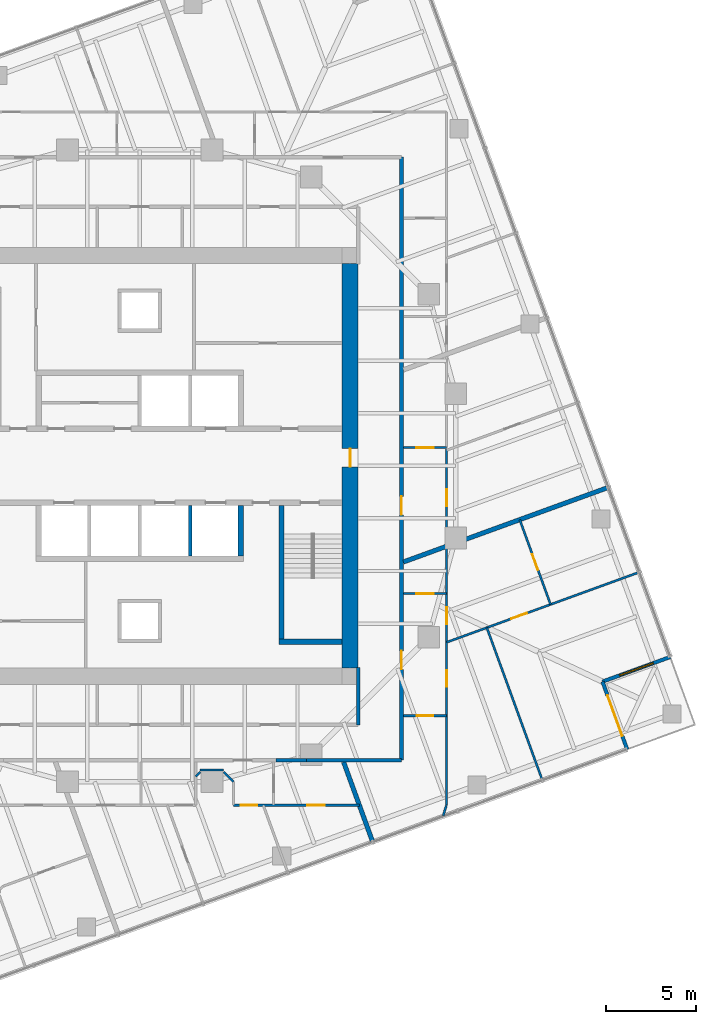
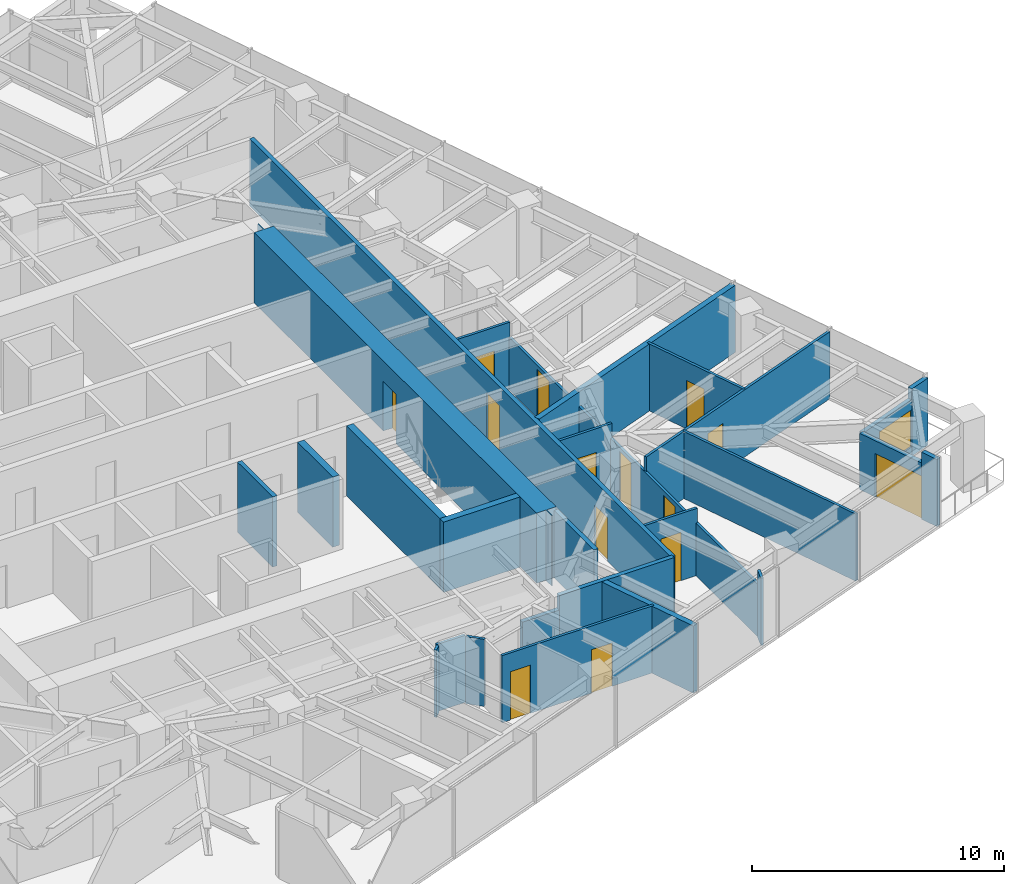
# One storey, part 9 of 13: 27 walls, 14 doors, 1 window, 15 openings.
"""IFC4 building model written with IfcOpenShell, lengths in metres."""

from ifc_helpers import new_model, si_unit, direction, frame, frame_2d, origin, place, context, subcontext, project, spatial, polyline, rectangle, outline, extrude, material, layer, layer_set, type_object, element, fill, save


model = new_model("IFC4")

# Units and contexts
model_context = context("Model", 3, precision=1e-05, world=origin(), true_north=direction((0.0, 1.0)))
body_context = subcontext(model_context, "Body", "Model", "MODEL_VIEW")
ifc_project = project(units=[si_unit("LENGTHUNIT", "METRE"), si_unit("AREAUNIT", "SQUARE_METRE"), si_unit("VOLUMEUNIT", "CUBIC_METRE"), si_unit("PLANEANGLEUNIT", "RADIAN"), si_unit("MASSUNIT", "GRAM", prefix="KILO")], contexts=[model_context])

# Site, building, storey
site_placement = place(None, origin())
site = spatial("IfcSite", under=ifc_project, at=site_placement, CompositionType="ELEMENT")
building_placement = place(site_placement, origin())
building = spatial("IfcBuilding", under=site, at=building_placement, Name="Torsade Residences", CompositionType="ELEMENT")
storey_placement = place(building_placement, frame((0.0, 0.0, 157.39990234375)))
storey = spatial("IfcBuildingStorey", under=building, at=storey_placement, Name="L43", CompositionType="ELEMENT", Elevation=157.39990234375)

# Walls
ifc_material_1 = material(Name="Concrete 80 MPa", Category="concrete")
ifc_layer_1 = layer(ifc_material_1, 0.300048828125)
ifc_layer_set_1 = layer_set([ifc_layer_1], Name="Concrete 80 MPa")
wall_type_1 = type_object("IfcWallType", Name="CORE INTERNAL WALL 300", PredefinedType="SHEAR", material=ifc_layer_set_1)
wall_1_placement = place(storey_placement, frame((45.60009765625, 27.800048828125, 0.0), z_axis=(0.0, 0.0, 1.0), x_axis=(0.0, -1.0, 0.0)))
element("IfcWall", 1, at=wall_1_placement, inside=storey, type_object=wall_type_1, Name="Core wall DS0 L43", PredefinedType="SHEAR", context=body_context, shape_type="SweptSolid", body=[
    extrude(rectangle(XDim=2.800048828125, YDim=0.300048828125, at=frame_2d((1.39990234375, 0.0))), origin(), (0.0, 0.0, 1.0), 3.400146484375),
])
wall_2_placement = place(storey_placement, frame((47.85009765625, 27.800048828125, 0.0), z_axis=(0.0, 0.0, 1.0), x_axis=(0.0, -1.0, 0.0)))
element("IfcWall", 2, at=wall_2_placement, inside=storey, type_object=wall_type_1, Name="Core wall ST2W L43", PredefinedType="SHEAR", context=body_context, shape_type="SweptSolid", body=[
    extrude(rectangle(XDim=7.699951171875, YDim=0.300048828125, at=frame_2d((3.85009765625, 0.0))), origin(), (0.0, 0.0, 1.0), 3.400146484375),
])
wall_3_placement = place(storey_placement, frame((51.199951171875, 20.25, 0.0), z_axis=(0.0, 0.0, 1.0), x_axis=(-1.0, 0.0, 0.0)))
element("IfcWall", 3, at=wall_3_placement, inside=storey, type_object=wall_type_1, Name="Core wall ST2S L43", PredefinedType="SHEAR", context=body_context, shape_type="SweptSolid", body=[
    extrude(rectangle(XDim=3.5, YDim=0.300048828125, at=frame_2d((1.75, 0.0))), origin(), (0.0, 0.0, 1.0), 3.400146484375),
])

# Wall, opening, door
ifc_material_2 = material(Name="Concrete 80 MPa", Category="concrete")
ifc_layer_2 = layer(ifc_material_2, 0.89990234375)
ifc_layer_set_2 = layer_set([ifc_layer_2], Name="Concrete 80 MPa")
wall_type_2 = type_object("IfcWallType", Name="CORE WALL 900", PredefinedType="SHEAR", material=ifc_layer_set_2)
wall_4_placement = place(storey_placement, frame((51.64990234375, 18.800048828125, 0.0), z_axis=(0.0, 0.0, 1.0), x_axis=(0.0, 1.0, 0.0)))
wall_4 = element("IfcWall", 4, at=wall_4_placement, inside=storey, type_object=wall_type_2, Name="Core wall E L43", PredefinedType="SHEAR", context=body_context, shape_type="SweptSolid", body=[
    extrude(outline(polyline([(0.0, -0.449951171875), (22.39990234375, -0.449951171875), (22.39990234375, -0.02490234375), (22.849853515625, -0.02490234375), (22.849853515625, 0.02490234375), (22.39990234375, 0.02490234375), (22.39990234375, 0.449951171875), (0.0, 0.449951171875), (0.0, 0.02490234375), (-0.449951171875, 0.02490234375), (-0.449951171875, -0.02490234375), (0.0, -0.02490234375), (0.0, -0.449951171875)])), origin(), (0.0, 0.0, 1.0), 3.400146484375),
])
opening_1_placement = place(wall_4_placement, frame((11.139892578125, 0.0, 0.0)))
opening_1 = element("IfcOpeningElement", 5, at=opening_1_placement, cuts=wall_4, Name="Opening D04", PredefinedType="OPENING", context=body_context, shape_type="SweptSolid", body=[
    extrude(rectangle(XDim=1.02001953125, YDim=2.39990234375, at=frame_2d((0.510009765625, 1.199951171875))), frame((0.0, 0.4599609375, 0.0), z_axis=(0.0, -1.0, 0.0), x_axis=(1.0, 0.0, 0.0)), (0.0, 0.0, 1.0), 0.919921875),
])
ifc_material_3 = material(Name="Steel-framed fire door", Category="steel")
door_type_1 = type_object("IfcDoorType", Name="LOBBY SMOKE DOOR 1020x2400", OperationType="NOTDEFINED", PredefinedType="DOOR", material=ifc_material_3)
door_1_placement = place(opening_1_placement, origin())
door_1 = element("IfcDoor", 6, at=door_1_placement, inside=storey, type_object=door_type_1, Name="Lift lobby door E L43", OperationType="SINGLE_SWING_LEFT", OverallHeight=2.39990234375, OverallWidth=1.02001953125, PredefinedType="DOOR", context=body_context, shape_type="SweptSolid", body=[
    extrude(rectangle(XDim=1.02001953125, YDim=2.39990234375, at=frame_2d((0.510009765625, 1.199951171875))), frame((0.0, 0.02490234375, 0.0), z_axis=(0.0, -1.0, 0.0), x_axis=(1.0, 0.0, 0.0)), (0.0, 0.0, 1.0), 0.050048828125),
])
fill(opening_1, door_1)

# Walls
ifc_material_4 = material(Name="Plasterboard on steel stud", Category="steel")
ifc_layer_3 = layer(ifc_material_4, 0.199951171875)
ifc_layer_set_3 = layer_set([ifc_layer_3], Name="Plasterboard on steel stud")
wall_type_3 = type_object("IfcWallType", Name="CORRIDOR WALL 200", PredefinedType="PARTITIONING", material=ifc_layer_set_3)
wall_5_placement = place(storey_placement, frame((47.558349609375, 13.699951171875, 0.0), z_axis=(0.0, 0.0, 1.0), x_axis=(1.0, 0.0, 0.0)))
element("IfcWall", 7, at=wall_5_placement, inside=storey, type_object=wall_type_3, Name="Corridor wall L43", PredefinedType="PARTITIONING", context=body_context, shape_type="SweptSolid", body=[
    extrude(rectangle(XDim=1.683349609375, YDim=0.199951171875, at=frame_2d((0.841796875, 0.0))), origin(), (0.0, 0.0, 1.0), 2.550048828125),
])
wall_6_placement = place(storey_placement, frame((49.24169921875, 13.699951171875, 0.0), z_axis=(0.0, 0.0, 1.0), x_axis=(1.0, 0.0, 0.0)))
element("IfcWall", 8, at=wall_6_placement, inside=storey, type_object=wall_type_3, Name="Corridor wall L43", PredefinedType="PARTITIONING", context=body_context, shape_type="SweptSolid", body=[
    extrude(rectangle(XDim=5.25830078125, YDim=0.199951171875, at=frame_2d((2.629150390625, 0.0))), origin(), (0.0, 0.0, 1.0), 3.25),
])

# Wall, openings, doors
wall_7_placement = place(storey_placement, frame((54.5, 13.699951171875, 0.0), z_axis=(0.0, 0.0, 1.0), x_axis=(0.0, 1.0, 0.0)))
wall_7 = element("IfcWall", 9, at=wall_7_placement, inside=storey, type_object=wall_type_3, Name="Corridor wall L43", PredefinedType="PARTITIONING", context=body_context, shape_type="SweptSolid", body=[
    extrude(rectangle(XDim=33.400146484375, YDim=0.199951171875, at=frame_2d((16.7001953125, 0.0))), origin(), (0.0, 0.0, 1.0), 3.25),
])
opening_2_placement = place(wall_7_placement, frame((5.02783203125, 0.0, 0.0)))
opening_2 = element("IfcOpeningElement", 10, at=opening_2_placement, cuts=wall_7, Name="Opening D01L", PredefinedType="OPENING", context=body_context, shape_type="SweptSolid", body=[
    extrude(rectangle(XDim=1.02001953125, YDim=2.10009765625, at=frame_2d((0.510009765625, 1.050048828125))), frame((0.0, 0.10986328125, 0.0), z_axis=(0.0, -1.0, 0.0), x_axis=(1.0, 0.0, 0.0)), (0.0, 0.0, 1.0), 0.219970703125),
])
opening_3_placement = place(wall_7_placement, frame((13.58740234375, 0.0, 0.0)))
opening_3 = element("IfcOpeningElement", 11, at=opening_3_placement, cuts=wall_7, Name="Opening D01", PredefinedType="OPENING", context=body_context, shape_type="SweptSolid", body=[
    extrude(rectangle(XDim=1.02001953125, YDim=2.340087890625, at=frame_2d((0.510009765625, 1.169921875))), frame((0.0, 0.10986328125, 0.0), z_axis=(0.0, -1.0, 0.0), x_axis=(1.0, 0.0, 0.0)), (0.0, 0.0, 1.0), 0.219970703125),
])
ifc_material_5 = material(Name="Solid-core timber fire door", Category="wood")
door_type_2 = type_object("IfcDoorType", Name="APARTMENT ENTRY DOOR 1020x2100", OperationType="NOTDEFINED", PredefinedType="DOOR", material=ifc_material_5)
door_2_placement = place(opening_2_placement, origin())
door_2 = element("IfcDoor", 12, at=door_2_placement, inside=storey, type_object=door_type_2, Name="Door Residential corridor to Kitchen and dining", OperationType="SINGLE_SWING_LEFT", OverallHeight=2.10009765625, OverallWidth=1.02001953125, PredefinedType="DOOR", context=body_context, shape_type="SweptSolid", body=[
    extrude(rectangle(XDim=1.02001953125, YDim=2.10009765625, at=frame_2d((0.510009765625, 1.050048828125))), frame((0.0, 0.02490234375, 0.0), z_axis=(0.0, -1.0, 0.0), x_axis=(1.0, 0.0, 0.0)), (0.0, 0.0, 1.0), 0.050048828125),
])
fill(opening_2, door_2)
ifc_material_6 = material(Name="Solid-core timber fire door", Category="wood")
door_type_3 = type_object("IfcDoorType", Name="APARTMENT ENTRY DOOR 1020x2340", OperationType="NOTDEFINED", PredefinedType="DOOR", material=ifc_material_6)
door_3_placement = place(opening_3_placement, origin())
door_3 = element("IfcDoor", 13, at=door_3_placement, inside=storey, type_object=door_type_3, Name="Door Residential corridor to Kitchen and dining", OperationType="SINGLE_SWING_RIGHT", OverallHeight=2.340087890625, OverallWidth=1.02001953125, PredefinedType="DOOR", context=body_context, shape_type="SweptSolid", body=[
    extrude(rectangle(XDim=1.02001953125, YDim=2.340087890625, at=frame_2d((0.510009765625, 1.169921875))), frame((0.0, 0.02490234375, 0.0), z_axis=(0.0, -1.0, 0.0), x_axis=(1.0, 0.0, 0.0)), (0.0, 0.0, 1.0), 0.050048828125),
])
fill(opening_3, door_3)

# Walls
wall_8_placement = place(storey_placement, frame((52.10009765625, 15.64990234375, 0.0), z_axis=(0.0, 0.0, 1.0), x_axis=(0.0, 1.0, 0.0)))
element("IfcWall", 14, at=wall_8_placement, inside=storey, type_object=wall_type_3, Name="Corridor wall L43", PredefinedType="PARTITIONING", context=body_context, shape_type="SweptSolid", body=[
    extrude(rectangle(XDim=3.170166015625, YDim=0.199951171875, at=frame_2d((1.5849609375, 0.0))), origin(), (0.0, 0.0, 1.0), 3.25),
])
ifc_material_7 = material(Name="Reinforced blockwork", Category="masonry")
ifc_layer_4 = layer(ifc_material_7, 0.199951171875)
ifc_layer_set_4 = layer_set([ifc_layer_4], Name="Reinforced blockwork")
wall_type_4 = type_object("IfcWallType", Name="LIFT SHAFT DIVIDING WALL 200", PredefinedType="SOLIDWALL", material=ifc_layer_set_4)
wall_9_placement = place(storey_placement, frame((42.800048828125, 27.800048828125, 0.0), z_axis=(0.0, 0.0, 1.0), x_axis=(0.0, -1.0, 0.0)))
element("IfcWall", 15, at=wall_9_placement, inside=storey, type_object=wall_type_4, Name="Core wall DS1 L43", PredefinedType="SOLIDWALL", context=body_context, shape_type="SweptSolid", body=[
    extrude(rectangle(XDim=2.800048828125, YDim=0.199951171875, at=frame_2d((1.39990234375, 0.0))), origin(), (0.0, 0.0, 1.0), 3.400146484375),
])

# Wall, openings, doors
ifc_material_8 = material(Name="Plasterboard on steel stud", Category="steel")
ifc_layer_5 = layer(ifc_material_8, 0.1201171875)
ifc_layer_set_5 = layer_set([ifc_layer_5], Name="Plasterboard on steel stud")
wall_type_5 = type_object("IfcWallType", Name="PARTITION 120", PredefinedType="PARTITIONING", material=ifc_layer_set_5)
wall_10_placement = place(storey_placement, frame((52.16357421875, 11.199951171875, 0.0), z_axis=(0.0, 0.0, 1.0), x_axis=(-1.0, 0.0, 0.0)))
wall_10 = element("IfcWall", 16, at=wall_10_placement, inside=storey, type_object=wall_type_5, Name="Partition L43", PredefinedType="PARTITIONING", context=body_context, shape_type="SweptSolid", body=[
    extrude(rectangle(XDim=6.963623046875, YDim=0.1201171875, at=frame_2d((3.48193359375, 0.0))), origin(), (0.0, 0.0, 1.0), 3.25),
])
opening_4_placement = place(wall_10_placement, frame((5.655517578125, 0.0, 0.0)))
opening_4 = element("IfcOpeningElement", 17, at=opening_4_placement, cuts=wall_10, Name="Opening D02", PredefinedType="OPENING", context=body_context, shape_type="SweptSolid", body=[
    extrude(rectangle(XDim=0.919921875, YDim=2.340087890625, at=frame_2d((0.4599609375, 1.169921875))), frame((0.0, 0.070068359375, 0.0), z_axis=(0.0, -1.0, 0.0), x_axis=(1.0, 0.0, 0.0)), (0.0, 0.0, 1.0), 0.14013671875),
])
opening_5_placement = place(wall_10_placement, frame((1.918701171875, 0.0, 0.0)))
opening_5 = element("IfcOpeningElement", 18, at=opening_5_placement, cuts=wall_10, Name="Opening D05", PredefinedType="OPENING", context=body_context, shape_type="SweptSolid", body=[
    extrude(rectangle(XDim=0.9599609375, YDim=2.10009765625, at=frame_2d((0.47998046875, 1.050048828125))), frame((0.0, 0.070068359375, 0.0), z_axis=(0.0, -1.0, 0.0), x_axis=(1.0, 0.0, 0.0)), (0.0, 0.0, 1.0), 0.14013671875),
])
ifc_material_9 = material(Name="Hollow-core timber door in a steel cavity frame", Category="steel")
door_type_4 = type_object("IfcDoorType", Name="BATHROOM CAVITY SLIDING DOOR 960", OperationType="SLIDING_TO_LEFT", PredefinedType="DOOR", material=ifc_material_9)
door_4_placement = place(opening_5_placement, origin())
door_4 = element("IfcDoor", 19, at=door_4_placement, inside=storey, type_object=door_type_4, Name="Door WC to Bedroom 2", OperationType="SLIDING_TO_LEFT", OverallHeight=2.10009765625, OverallWidth=0.9599609375, PredefinedType="DOOR", context=body_context, shape_type="SweptSolid", body=[
    extrude(rectangle(XDim=0.9599609375, YDim=2.10009765625, at=frame_2d((0.47998046875, 1.050048828125))), frame((0.0, 0.02490234375, 0.0), z_axis=(0.0, -1.0, 0.0), x_axis=(1.0, 0.0, 0.0)), (0.0, 0.0, 1.0), 0.050048828125),
])
fill(opening_5, door_4)
ifc_material_10 = material(Name="Hollow-core timber door", Category="wood")
door_type_5 = type_object("IfcDoorType", Name="INTERNAL DOOR 920x2340", OperationType="NOTDEFINED", PredefinedType="DOOR", material=ifc_material_10)
door_5_placement = place(opening_4_placement, origin())
door_5 = element("IfcDoor", 20, at=door_5_placement, inside=storey, type_object=door_type_5, Name="Door Kitchen and dining to Bedroom 1", OperationType="SINGLE_SWING_LEFT", OverallHeight=2.340087890625, OverallWidth=0.919921875, PredefinedType="DOOR", context=body_context, shape_type="SweptSolid", body=[
    extrude(rectangle(XDim=0.919921875, YDim=2.340087890625, at=frame_2d((0.4599609375, 1.169921875))), frame((0.0, 0.02490234375, 0.0), z_axis=(0.0, -1.0, 0.0), x_axis=(1.0, 0.0, 0.0)), (0.0, 0.0, 1.0), 0.050048828125),
])
fill(opening_4, door_5)

# Walls
wall_11_placement = place(storey_placement, frame((45.199951171875, 12.5, 0.0), z_axis=(0.0, 0.0, 1.0), x_axis=(-0.707106781187, 0.707106781187, 0.0)))
element("IfcWall", 21, at=wall_11_placement, inside=storey, type_object=wall_type_5, Name="Partition L43", PredefinedType="PARTITIONING", context=body_context, shape_type="SweptSolid", body=[
    extrude(rectangle(XDim=0.77783203125, YDim=0.1201171875, at=frame_2d((0.388916015625, 0.0))), origin(), (0.0, 0.0, 1.0), 3.25),
])
wall_12_placement = place(storey_placement, frame((44.64990234375, 13.14990234375, 0.0), z_axis=(0.0, 0.0, 1.0), x_axis=(-1.0, 0.0, 0.0)))
element("IfcWall", 22, at=wall_12_placement, inside=storey, type_object=wall_type_5, Name="Partition L43", PredefinedType="PARTITIONING", context=body_context, shape_type="SweptSolid", body=[
    extrude(rectangle(XDim=1.2998046875, YDim=0.1201171875, at=frame_2d((0.64990234375, 0.0))), origin(), (0.0, 0.0, 1.0), 3.25),
])
wall_13_placement = place(storey_placement, frame((43.35009765625, 13.050048828125, 0.0), z_axis=(0.0, 0.0, 1.0), x_axis=(-0.707106781187, -0.707106781187, 0.0)))
element("IfcWall", 23, at=wall_13_placement, inside=storey, type_object=wall_type_5, Name="Partition L43", PredefinedType="PARTITIONING", context=body_context, shape_type="SweptSolid", body=[
    extrude(rectangle(XDim=0.356689453125, YDim=0.1201171875, at=frame_2d((0.17822265625, 0.0))), origin(), (0.0, 0.0, 1.0), 3.25),
])

# Wall, opening, door
wall_14_placement = place(storey_placement, frame((57.0, 16.15478515625, 0.0), z_axis=(0.0, 0.0, 1.0), x_axis=(-1.0, 0.0, 0.0)))
wall_14 = element("IfcWall", 24, at=wall_14_placement, inside=storey, type_object=wall_type_5, Name="Partition L43", PredefinedType="PARTITIONING", context=body_context, shape_type="SweptSolid", body=[
    extrude(rectangle(XDim=2.39990234375, YDim=0.1201171875, at=frame_2d((1.199951171875, 0.0))), origin(), (0.0, 0.0, 1.0), 3.25),
])
opening_6_placement = place(wall_14_placement, frame((0.739990234375, 0.0, 0.0)))
opening_6 = element("IfcOpeningElement", 25, at=opening_6_placement, cuts=wall_14, Name="Opening D02", PredefinedType="OPENING", context=body_context, shape_type="SweptSolid", body=[
    extrude(rectangle(XDim=0.919921875, YDim=2.340087890625, at=frame_2d((0.4599609375, 1.169921875))), frame((0.0, 0.070068359375, 0.0), z_axis=(0.0, -1.0, 0.0), x_axis=(1.0, 0.0, 0.0)), (0.0, 0.0, 1.0), 0.14013671875),
])
door_6_placement = place(opening_6_placement, origin())
door_6 = element("IfcDoor", 26, at=door_6_placement, inside=storey, type_object=door_type_5, Name="Door Kitchen and dining to Scullery", OperationType="SINGLE_SWING_LEFT", OverallHeight=2.340087890625, OverallWidth=0.919921875, PredefinedType="DOOR", context=body_context, shape_type="SweptSolid", body=[
    extrude(rectangle(XDim=0.919921875, YDim=2.340087890625, at=frame_2d((0.4599609375, 1.169921875))), frame((0.0, 0.02490234375, 0.0), z_axis=(0.0, -1.0, 0.0), x_axis=(1.0, 0.0, 0.0)), (0.0, 0.0, 1.0), 0.050048828125),
])
fill(opening_6, door_6)

wall_15_placement = place(storey_placement, frame((54.60009765625, 22.920654296875, 0.0), z_axis=(0.0, 0.0, 1.0), x_axis=(1.0, 0.0, 0.0)))
wall_15 = element("IfcWall", 27, at=wall_15_placement, inside=storey, type_object=wall_type_5, Name="Partition L43", PredefinedType="PARTITIONING", context=body_context, shape_type="SweptSolid", body=[
    extrude(rectangle(XDim=2.39990234375, YDim=0.1201171875, at=frame_2d((1.199951171875, 0.0))), origin(), (0.0, 0.0, 1.0), 3.25),
])
opening_7_placement = place(wall_15_placement, frame((0.719970703125, 0.0, 0.0)))
opening_7 = element("IfcOpeningElement", 28, at=opening_7_placement, cuts=wall_15, Name="Opening D05", PredefinedType="OPENING", context=body_context, shape_type="SweptSolid", body=[
    extrude(rectangle(XDim=0.9599609375, YDim=2.10009765625, at=frame_2d((0.47998046875, 1.050048828125))), frame((0.0, 0.070068359375, 0.0), z_axis=(0.0, -1.0, 0.0), x_axis=(1.0, 0.0, 0.0)), (0.0, 0.0, 1.0), 0.14013671875),
])
door_7_placement = place(opening_7_placement, origin())
door_7 = element("IfcDoor", 29, at=door_7_placement, inside=storey, type_object=door_type_4, Name="Door Kitchen and dining to Bathroom", OperationType="SLIDING_TO_LEFT", OverallHeight=2.10009765625, OverallWidth=0.9599609375, PredefinedType="DOOR", context=body_context, shape_type="SweptSolid", body=[
    extrude(rectangle(XDim=0.9599609375, YDim=2.10009765625, at=frame_2d((0.47998046875, 1.050048828125))), frame((0.0, 0.02490234375, 0.0), z_axis=(0.0, -1.0, 0.0), x_axis=(1.0, 0.0, 0.0)), (0.0, 0.0, 1.0), 0.050048828125),
])
fill(opening_7, door_7)

# Wall, openings, doors
wall_16_placement = place(storey_placement, frame((57.0, 30.919677734375, 0.0), z_axis=(0.0, 0.0, 1.0), x_axis=(0.0, -1.0, 0.0)))
wall_16 = element("IfcWall", 30, at=wall_16_placement, inside=storey, type_object=wall_type_5, Name="Partition L43", PredefinedType="PARTITIONING", context=body_context, shape_type="SweptSolid", body=[
    extrude(rectangle(XDim=19.7197265625, YDim=0.1201171875, at=frame_2d((9.85986328125, 0.0))), origin(), (0.0, 0.0, 1.0), 2.550048828125),
])
opening_8_placement = place(wall_16_placement, frame((12.243408203125, 0.0, 0.0)))
opening_8 = element("IfcOpeningElement", 31, at=opening_8_placement, cuts=wall_16, Name="Opening D02", PredefinedType="OPENING", context=body_context, shape_type="SweptSolid", body=[
    extrude(rectangle(XDim=0.919921875, YDim=2.340087890625, at=frame_2d((0.4599609375, 1.169921875))), frame((0.0, 0.070068359375, 0.0), z_axis=(0.0, -1.0, 0.0), x_axis=(1.0, 0.0, 0.0)), (0.0, 0.0, 1.0), 0.14013671875),
])
opening_9_placement = place(wall_16_placement, frame((8.763671875, 0.0, 0.0)))
opening_9 = element("IfcOpeningElement", 32, at=opening_9_placement, cuts=wall_16, Name="Opening D02", PredefinedType="OPENING", context=body_context, shape_type="SweptSolid", body=[
    extrude(rectangle(XDim=0.919921875, YDim=2.340087890625, at=frame_2d((0.4599609375, 1.169921875))), frame((0.0, 0.070068359375, 0.0), z_axis=(0.0, -1.0, 0.0), x_axis=(1.0, 0.0, 0.0)), (0.0, 0.0, 1.0), 0.14013671875),
])
opening_10_placement = place(wall_16_placement, frame((2.22705078125, 0.0, 0.0)))
opening_10 = element("IfcOpeningElement", 33, at=opening_10_placement, cuts=wall_16, Name="Opening D02", PredefinedType="OPENING", context=body_context, shape_type="SweptSolid", body=[
    extrude(rectangle(XDim=0.919921875, YDim=2.340087890625, at=frame_2d((0.4599609375, 1.169921875))), frame((0.0, 0.070068359375, 0.0), z_axis=(0.0, -1.0, 0.0), x_axis=(1.0, 0.0, 0.0)), (0.0, 0.0, 1.0), 0.14013671875),
])
door_8_placement = place(opening_8_placement, origin())
door_8 = element("IfcDoor", 34, at=door_8_placement, inside=storey, type_object=door_type_5, Name="Door Kitchen and dining to Bedroom 1", OperationType="SINGLE_SWING_LEFT", OverallHeight=2.340087890625, OverallWidth=0.919921875, PredefinedType="DOOR", context=body_context, shape_type="SweptSolid", body=[
    extrude(rectangle(XDim=0.919921875, YDim=2.340087890625, at=frame_2d((0.4599609375, 1.169921875))), frame((0.0, 0.02490234375, 0.0), z_axis=(0.0, -1.0, 0.0), x_axis=(1.0, 0.0, 0.0)), (0.0, 0.0, 1.0), 0.050048828125),
])
fill(opening_8, door_8)
door_9_placement = place(opening_9_placement, origin())
door_9 = element("IfcDoor", 35, at=door_9_placement, inside=storey, type_object=door_type_5, Name="Door Kitchen and dining to Walk-in robe", OperationType="SINGLE_SWING_RIGHT", OverallHeight=2.340087890625, OverallWidth=0.919921875, PredefinedType="DOOR", context=body_context, shape_type="SweptSolid", body=[
    extrude(rectangle(XDim=0.919921875, YDim=2.340087890625, at=frame_2d((0.4599609375, 1.169921875))), frame((0.0, 0.02490234375, 0.0), z_axis=(0.0, -1.0, 0.0), x_axis=(1.0, 0.0, 0.0)), (0.0, 0.0, 1.0), 0.050048828125),
])
fill(opening_9, door_9)
door_10_placement = place(opening_10_placement, origin())
door_10 = element("IfcDoor", 36, at=door_10_placement, inside=storey, type_object=door_type_5, Name="Door Kitchen and dining to Living room", OperationType="SINGLE_SWING_RIGHT", OverallHeight=2.340087890625, OverallWidth=0.919921875, PredefinedType="DOOR", context=body_context, shape_type="SweptSolid", body=[
    extrude(rectangle(XDim=0.919921875, YDim=2.340087890625, at=frame_2d((0.4599609375, 1.169921875))), frame((0.0, 0.02490234375, 0.0), z_axis=(0.0, -1.0, 0.0), x_axis=(1.0, 0.0, 0.0)), (0.0, 0.0, 1.0), 0.050048828125),
])
fill(opening_10, door_10)

# Walls
wall_17_placement = place(storey_placement, frame((56.986572265625, 11.199951171875, 0.0), z_axis=(0.0, 0.0, 1.0), x_axis=(-0.290455219909, -0.956888585588, 0.0)))
element("IfcWall", 37, at=wall_17_placement, inside=storey, type_object=wall_type_5, Name="Partition L43", PredefinedType="PARTITIONING", context=body_context, shape_type="SweptSolid", body=[
    extrude(rectangle(XDim=0.605224609375, YDim=0.1201171875, at=frame_2d((0.302734375, 0.0))), origin(), (0.0, 0.0, 1.0), 3.25),
])
wall_18_placement = place(storey_placement, frame((62.290283203125, 12.615234375, 0.0), z_axis=(0.0, 0.0, 1.0), x_axis=(-0.342038393654, 0.939685978009, 0.0)))
element("IfcWall", 38, at=wall_18_placement, inside=storey, type_object=wall_type_5, Name="Partition L43", PredefinedType="PARTITIONING", context=body_context, shape_type="SweptSolid", body=[
    extrude(rectangle(XDim=8.960205078125, YDim=0.1201171875, at=frame_2d((4.47998046875, 0.0))), origin(), (0.0, 0.0, 1.0), 3.25),
])

# Wall, opening, door
wall_19_placement = place(storey_placement, frame((57.0, 20.224853515625, 0.0), z_axis=(0.0, 0.0, 1.0), x_axis=(0.939693965364, 0.342016449105, 0.0)))
wall_19 = element("IfcWall", 39, at=wall_19_placement, inside=storey, type_object=wall_type_5, Name="Partition L43", PredefinedType="PARTITIONING", context=body_context, shape_type="SweptSolid", body=[
    extrude(rectangle(XDim=11.328369140625, YDim=0.1201171875, at=frame_2d((5.6640625, 0.0))), origin(), (0.0, 0.0, 1.0), 3.25),
])
opening_11_placement = place(wall_19_placement, frame((3.812255859375, 0.0, 0.0)))
opening_11 = element("IfcOpeningElement", 40, at=opening_11_placement, cuts=wall_19, Name="Opening D02", PredefinedType="OPENING", context=body_context, shape_type="SweptSolid", body=[
    extrude(rectangle(XDim=0.919921875, YDim=2.340087890625, at=frame_2d((0.4599609375, 1.169921875))), frame((0.0, 0.070068359375, 0.0), z_axis=(0.0, -1.0, 0.0), x_axis=(1.0, 0.0, 0.0)), (0.0, 0.0, 1.0), 0.14013671875),
])
door_11_placement = place(opening_11_placement, origin())
door_11 = element("IfcDoor", 41, at=door_11_placement, inside=storey, type_object=door_type_5, Name="Door Walk-in robe to Living room", OperationType="SINGLE_SWING_RIGHT", OverallHeight=2.340087890625, OverallWidth=0.919921875, PredefinedType="DOOR", context=body_context, shape_type="SweptSolid", body=[
    extrude(rectangle(XDim=0.919921875, YDim=2.340087890625, at=frame_2d((0.4599609375, 1.169921875))), frame((0.0, 0.02490234375, 0.0), z_axis=(0.0, -1.0, 0.0), x_axis=(1.0, 0.0, 0.0)), (0.0, 0.0, 1.0), 0.050048828125),
])
fill(opening_11, door_11)

wall_20_placement = place(storey_placement, frame((62.756591796875, 22.320068359375, 0.0), z_axis=(0.0, 0.0, 1.0), x_axis=(-0.341993964619, 0.939702148643, 0.0)))
wall_20 = element("IfcWall", 42, at=wall_20_placement, inside=storey, type_object=wall_type_5, Name="Partition L43", PredefinedType="PARTITIONING", context=body_context, shape_type="SweptSolid", body=[
    extrude(rectangle(XDim=5.0, YDim=0.1201171875, at=frame_2d((2.5, 0.0))), origin(), (0.0, 0.0, 1.0), 3.25),
])
opening_12_placement = place(wall_20_placement, frame((2.0400390625, 0.0, 0.0)))
opening_12 = element("IfcOpeningElement", 43, at=opening_12_placement, cuts=wall_20, Name="Opening D02", PredefinedType="OPENING", context=body_context, shape_type="SweptSolid", body=[
    extrude(rectangle(XDim=0.919921875, YDim=2.340087890625, at=frame_2d((0.4599609375, 1.169921875))), frame((0.0, 0.070068359375, 0.0), z_axis=(0.0, -1.0, 0.0), x_axis=(1.0, 0.0, 0.0)), (0.0, 0.0, 1.0), 0.14013671875),
])
door_12_placement = place(opening_12_placement, origin())
door_12 = element("IfcDoor", 44, at=door_12_placement, inside=storey, type_object=door_type_5, Name="Door Walk-in robe to Bedroom 2", OperationType="SINGLE_SWING_RIGHT", OverallHeight=2.340087890625, OverallWidth=0.919921875, PredefinedType="DOOR", context=body_context, shape_type="SweptSolid", body=[
    extrude(rectangle(XDim=0.919921875, YDim=2.340087890625, at=frame_2d((0.4599609375, 1.169921875))), frame((0.0, 0.02490234375, 0.0), z_axis=(0.0, -1.0, 0.0), x_axis=(1.0, 0.0, 0.0)), (0.0, 0.0, 1.0), 0.050048828125),
])
fill(opening_12, door_12)

wall_21_placement = place(storey_placement, frame((54.60009765625, 31.011474609375, 0.0), z_axis=(0.0, 0.0, 1.0), x_axis=(1.0, 0.0, 0.0)))
wall_21 = element("IfcWall", 45, at=wall_21_placement, inside=storey, type_object=wall_type_5, Name="Partition L43", PredefinedType="PARTITIONING", context=body_context, shape_type="SweptSolid", body=[
    extrude(rectangle(XDim=2.39990234375, YDim=0.1201171875, at=frame_2d((1.199951171875, 0.0))), origin(), (0.0, 0.0, 1.0), 3.25),
])
opening_13_placement = place(wall_21_placement, frame((0.719970703125, 0.0, 0.0)))
opening_13 = element("IfcOpeningElement", 46, at=opening_13_placement, cuts=wall_21, Name="Opening D05", PredefinedType="OPENING", context=body_context, shape_type="SweptSolid", body=[
    extrude(rectangle(XDim=0.9599609375, YDim=2.10009765625, at=frame_2d((0.47998046875, 1.050048828125))), frame((0.0, 0.070068359375, 0.0), z_axis=(0.0, -1.0, 0.0), x_axis=(1.0, 0.0, 0.0)), (0.0, 0.0, 1.0), 0.14013671875),
])
door_13_placement = place(opening_13_placement, origin())
door_13 = element("IfcDoor", 47, at=door_13_placement, inside=storey, type_object=door_type_4, Name="Door Kitchen and dining to Bathroom", OperationType="SLIDING_TO_LEFT", OverallHeight=2.10009765625, OverallWidth=0.9599609375, PredefinedType="DOOR", context=body_context, shape_type="SweptSolid", body=[
    extrude(rectangle(XDim=0.9599609375, YDim=2.10009765625, at=frame_2d((0.47998046875, 1.050048828125))), frame((0.0, 0.02490234375, 0.0), z_axis=(0.0, -1.0, 0.0), x_axis=(1.0, 0.0, 0.0)), (0.0, 0.0, 1.0), 0.050048828125),
])
fill(opening_13, door_13)

# Walls
ifc_material_11 = material(Name="Masonry-lined stud party wall", Category="masonry")
ifc_layer_6 = layer(ifc_material_11, 0.25)
ifc_layer_set_6 = layer_set([ifc_layer_6], Name="Masonry-lined stud party wall")
wall_type_6 = type_object("IfcWallType", Name="PARTY WALL 250", PredefinedType="PARTITIONING", material=ifc_layer_set_6)
wall_22_placement = place(storey_placement, frame((52.906982421875, 9.157470703125, 0.0), z_axis=(0.0, 0.0, 1.0), x_axis=(-0.342012883883, 0.939695262975, 0.0)))
element("IfcWall", 48, at=wall_22_placement, inside=storey, type_object=wall_type_6, Name="Party wall L43", PredefinedType="PARTITIONING", context=body_context, shape_type="SweptSolid", body=[
    extrude(rectangle(XDim=4.721923828125, YDim=0.25, at=frame_2d((2.36083984375, 0.0))), origin(), (0.0, 0.0, 1.0), 3.25),
])
wall_23_placement = place(storey_placement, frame((65.972900390625, 28.8115234375, 0.0), z_axis=(0.0, 0.0, 1.0), x_axis=(-0.939693801585, -0.342016899091, 0.0)))
element("IfcWall", 49, at=wall_23_placement, inside=storey, type_object=wall_type_6, Name="Party wall L43", PredefinedType="PARTITIONING", context=body_context, shape_type="SweptSolid", body=[
    extrude(rectangle(XDim=12.09716796875, YDim=0.25, at=frame_2d((6.048583984375, 0.0))), origin(), (0.0, 0.0, 1.0), 3.25),
])
ifc_material_12 = material(Name="Stone-faced precast concrete 40 MPa panel", Category="masonry")
ifc_layer_7 = layer(ifc_material_12, 0.199951171875)
ifc_layer_set_7 = layer_set([ifc_layer_7], Name="Stone-faced precast concrete 40 MPa panel")
wall_type_7 = type_object("IfcWallType", Name="TERRACE WALL 200", PredefinedType="SOLIDWALL", material=ifc_layer_set_7)
wall_24_placement = place(storey_placement, frame((67.00244140625, 14.287841796875, 0.0), z_axis=(0.0, 0.0, 1.0), x_axis=(-0.342110593602, 0.939659694648, 0.0)))
element("IfcWall", 50, at=wall_24_placement, inside=storey, type_object=wall_type_7, Name="Terrace wall L43 2", PredefinedType="SOLIDWALL", context=body_context, shape_type="SweptSolid", body=[
    extrude(rectangle(XDim=0.800048828125, YDim=0.199951171875, at=frame_2d((0.39990234375, 0.0))), origin(), (0.0, 0.0, 1.0), 3.25),
])

# Wall, opening, door
wall_25_placement = place(storey_placement, frame((66.728759765625, 15.03955078125, 0.0), z_axis=(0.0, 0.0, 1.0), x_axis=(-0.342018703306, 0.939693144909, 0.0)))
wall_25 = element("IfcWall", 51, at=wall_25_placement, inside=storey, type_object=wall_type_7, Name="Terrace wall L43 2", PredefinedType="SOLIDWALL", context=body_context, shape_type="SweptSolid", body=[
    extrude(rectangle(XDim=3.199951171875, YDim=0.199951171875, at=frame_2d((1.60009765625, 0.0))), origin(), (0.0, 0.0, 1.0), 2.72216796875),
])
opening_14_placement = place(wall_25_placement, origin())
opening_14 = element("IfcOpeningElement", 52, at=opening_14_placement, cuts=wall_25, Name="Opening D10A", PredefinedType="OPENING", context=body_context, shape_type="SweptSolid", body=[
    extrude(rectangle(XDim=2.39990234375, YDim=2.10009765625, at=frame_2d((1.199951171875, 1.050048828125))), frame((0.0, 0.10986328125, 0.0), z_axis=(0.0, -1.0, 0.0), x_axis=(1.0, 0.0, 0.0)), (0.0, 0.0, 1.0), 0.219970703125),
])
ifc_material_13 = material(Name="Aluminium-framed glass door", Category="aluminium")
door_type_6 = type_object("IfcDoorType", Name="TERRACE SLIDING DOOR 2400x2100", OperationType="SLIDING_TO_LEFT", PredefinedType="DOOR", material=ifc_material_13)
door_14_placement = place(opening_14_placement, origin())
door_14 = element("IfcDoor", 53, at=door_14_placement, inside=storey, type_object=door_type_6, Name="Terrace door L43 2", OperationType="SLIDING_TO_LEFT", OverallHeight=2.10009765625, OverallWidth=2.39990234375, PredefinedType="DOOR", context=body_context, shape_type="SweptSolid", body=[
    extrude(rectangle(XDim=2.39990234375, YDim=2.10009765625, at=frame_2d((1.199951171875, 1.050048828125))), frame((0.0, 0.02490234375, 0.0), z_axis=(0.0, -1.0, 0.0), x_axis=(1.0, 0.0, 0.0)), (0.0, 0.0, 1.0), 0.050048828125),
])
fill(opening_14, door_14)

# Wall, opening, window
wall_26_placement = place(storey_placement, frame((65.63427734375, 18.046630859375, 0.0), z_axis=(0.0, 0.0, 1.0), x_axis=(0.939712609717, 0.341965219194, 0.0)))
wall_26 = element("IfcWall", 54, at=wall_26_placement, inside=storey, type_object=wall_type_7, Name="Terrace wall L43 3", PredefinedType="SOLIDWALL", context=body_context, shape_type="SweptSolid", body=[
    extrude(rectangle(XDim=3.0, YDim=0.199951171875, at=frame_2d((1.5, 0.0))), origin(), (0.0, 0.0, 1.0), 2.72216796875),
])
opening_15_placement = place(wall_26_placement, frame((1.0, 0.0, 0.449951171875)))
opening_15 = element("IfcOpeningElement", 55, at=opening_15_placement, cuts=wall_26, Name="Opening W1B", PredefinedType="OPENING", context=body_context, shape_type="SweptSolid", body=[
    extrude(rectangle(XDim=2.0, YDim=1.800048828125, at=frame_2d((1.0, 0.89990234375))), frame((0.0, 0.10986328125, 0.0), z_axis=(0.0, -1.0, 0.0), x_axis=(1.0, 0.0, 0.0)), (0.0, 0.0, 1.0), 0.219970703125),
])
ifc_material_14 = material(Name="Aluminium-framed glass window", Category="aluminium")
window_type = type_object("IfcWindowType", Name="TERRACE WINDOW 2000x1800", PartitioningType="SINGLE_PANEL", PredefinedType="WINDOW", material=ifc_material_14)
window_placement = place(opening_15_placement, origin())
window = element("IfcWindow", 56, at=window_placement, inside=storey, type_object=window_type, Name="Terrace window L43 3", OverallHeight=1.800048828125, OverallWidth=2.0, PartitioningType="SINGLE_PANEL", PredefinedType="WINDOW", context=body_context, shape_type="SweptSolid", body=[
    extrude(rectangle(XDim=2.0, YDim=1.800048828125, at=frame_2d((1.0, 0.89990234375))), frame((0.0, 0.030029296875, 0.0), z_axis=(0.0, -1.0, 0.0), x_axis=(1.0, 0.0, 0.0)), (0.0, 0.0, 1.0), 0.06005859375),
])
fill(opening_15, window)

# Wall
wall_27_placement = place(storey_placement, frame((68.453369140625, 19.072509765625, 0.0), z_axis=(0.0, 0.0, 1.0), x_axis=(0.939686455819, 0.342037080957, 0.0)))
element("IfcWall", 57, at=wall_27_placement, inside=storey, type_object=wall_type_7, Name="Terrace wall L43 3", PredefinedType="SOLIDWALL", context=body_context, shape_type="SweptSolid", body=[
    extrude(rectangle(XDim=1.0, YDim=0.199951171875, at=frame_2d((0.5, 0.0))), origin(), (0.0, 0.0, 1.0), 3.25),
])

save(model, "model.ifc")
